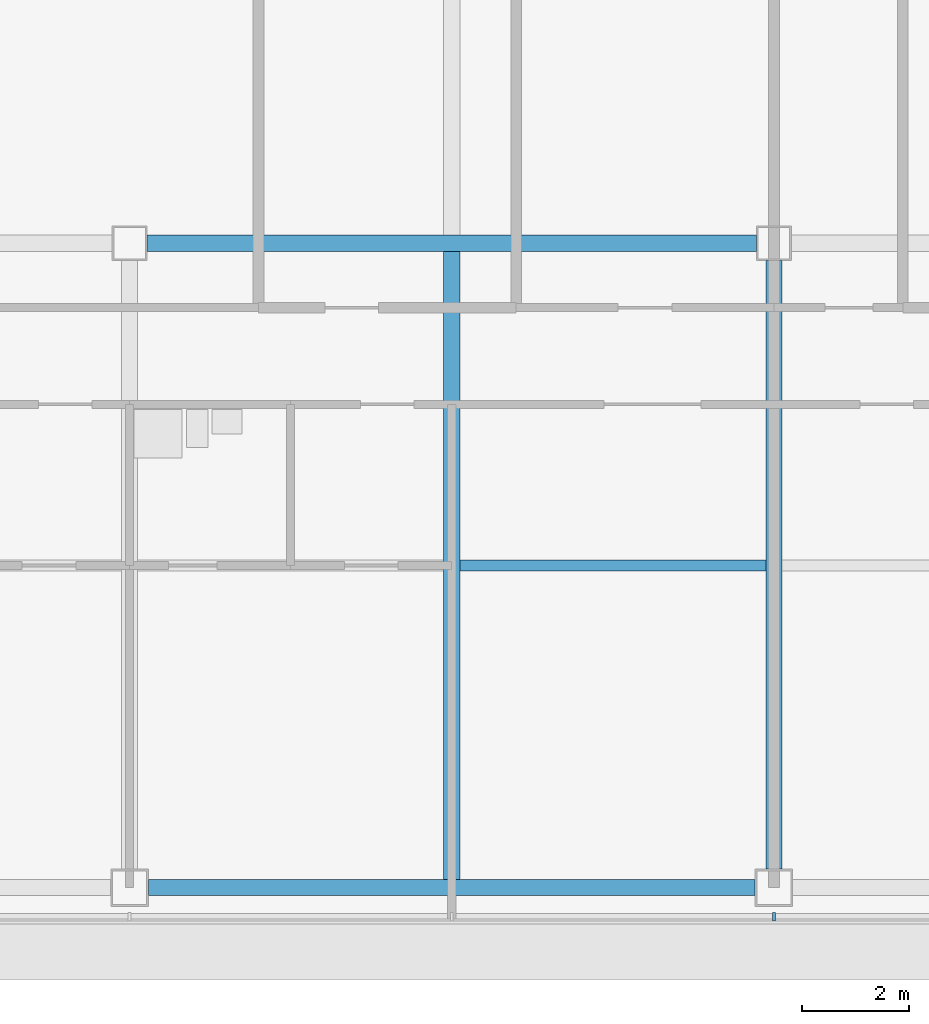
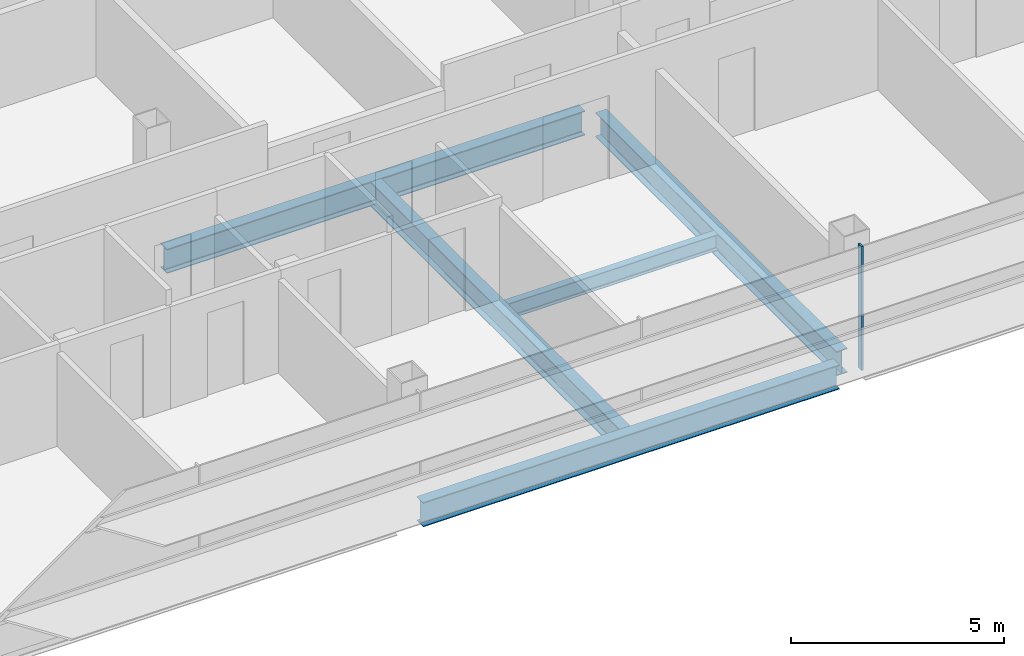
# One storey, part 3 of 26: 5 beams, 1 member, 1 element without a shape of its own.
"""IFC4 building model written with IfcOpenShell, lengths in metres."""

from ifc_helpers import new_model, si_unit, direction, frame, origin, origin_2d, place, context, subcontext, project, spatial, rectangle, i_section, extrude, material, material_profile, profile_set, type_object, element, aggregate, save


model = new_model("IFC4")

# Units and contexts
model_context = context("Model", 3, precision=1e-05, world=origin(), true_north=direction((0.0, 1.0)))
body_context = subcontext(model_context, "Body", "Model", "MODEL_VIEW")
ifc_project = project(units=[si_unit("LENGTHUNIT", "METRE"), si_unit("AREAUNIT", "SQUARE_METRE"), si_unit("VOLUMEUNIT", "CUBIC_METRE"), si_unit("PLANEANGLEUNIT", "RADIAN"), si_unit("MASSUNIT", "GRAM", prefix="KILO")], contexts=[model_context])

# Site, building, storey
site_placement = place(None, origin())
site = spatial("IfcSite", under=ifc_project, at=site_placement, CompositionType="ELEMENT")
building_placement = place(site_placement, origin())
building = spatial("IfcBuilding", under=site, at=building_placement, Name="Sorahane Residences", CompositionType="ELEMENT")
storey_placement = place(building_placement, frame((0.0, 0.0, 158.199951171875)))
storey = spatial("IfcBuildingStorey", under=building, at=storey_placement, Name="L36", CompositionType="ELEMENT", Elevation=158.199951171875)

# Curtain wall, member
ifc_material_1 = material(Name="Dark low-e glass and black anodised aluminium", Category="aluminium")
curtain_wall_type = type_object("IfcCurtainWallType", Name="Curtain wall CW-1 Typical unitised wall", PredefinedType="NOTDEFINED", material=ifc_material_1)
curtain_wall_placement = place(storey_placement, origin())
curtain_wall = element("IfcCurtainWall", 1, at=curtain_wall_placement, inside=storey, type_object=curtain_wall_type, Name="CW-1 curtain wall L36 S1", PredefinedType="NOTDEFINED")
ifc_material_2 = material(Name="Black anodised aluminium", Category="aluminium")
ifc_material_profile_1 = material_profile(ifc_material_2, rectangle(XDim=0.159912109375, YDim=0.050048828125, at=origin_2d()), Name="Curtain wall mullion CW-1 black anodised aluminium 50x160")
ifc_profile_set_1 = profile_set([ifc_material_profile_1], Name="Black anodised aluminium")
member_type = type_object("IfcMemberType", Name="Curtain wall mullion CW-1 black anodised aluminium 50x160", PredefinedType="MULLION", material=ifc_profile_set_1)
member_placement = place(storey_placement, frame((24.0, -0.5400390625, -0.179931640625), z_axis=(0.0, 0.0, 1.0), x_axis=(0.0, -1.0, 0.0)))
member = element("IfcMember", 2, at=member_placement, type_object=member_type, Name="CW-1 mullion L36 S1.5", PredefinedType="MULLION", context=body_context, shape_type="SweptSolid", body=[
    extrude(rectangle(XDim=0.159912109375, YDim=0.050048828125, at=origin_2d()), origin(), (0.0, 0.0, 1.0), 3.56005859375),
])
aggregate(curtain_wall, [member])

# Beams
ifc_material_3 = material(Name="Steel Q355B", Category="steel")
ifc_material_profile_2 = material_profile(ifc_material_3, i_section(OverallWidth=0.199951171875, OverallDepth=0.449951171875, WebThickness=0.009033203125, FlangeThickness=0.013916015625, FilletRadius=0.02001953125, at=origin_2d()), Name="HN 450x200x9x14")
ifc_profile_set_2 = profile_set([ifc_material_profile_2], Name="Steel Q355B")
beam_type_1 = type_object("IfcBeamType", Name="Steel floor beam HN 450x200x9x14 Q355B", PredefinedType="BEAM", material=ifc_profile_set_2)
beam_1_placement = place(storey_placement, frame((18.14990234375, 6.0, -0.405029296875), z_axis=(1.0, 0.0, 0.0), x_axis=(0.0, 1.0, 0.0)))
element("IfcBeam", 3, at=beam_1_placement, inside=storey, type_object=beam_type_1, Name="Beam L36 072", PredefinedType="BEAM", context=body_context, shape_type="SweptSolid", body=[
    extrude(i_section(OverallWidth=0.199951171875, OverallDepth=0.449951171875, WebThickness=0.009033203125, FlangeThickness=0.013916015625, FilletRadius=0.02001953125, at=origin_2d()), origin(), (0.0, 0.0, 1.0), 5.7001953125),
])
ifc_material_4 = material(Name="Steel Q355B", Category="steel")
ifc_material_profile_3 = material_profile(ifc_material_4, i_section(OverallWidth=0.300048828125, OverallDepth=0.699951171875, WebThickness=0.012939453125, FlangeThickness=0.02392578125, FilletRadius=0.028076171875, at=origin_2d()), Name="HN 700x300x13x24")
ifc_profile_set_3 = profile_set([ifc_material_profile_3], Name="Steel Q355B")
beam_type_2 = type_object("IfcBeamType", Name="Steel floor beam HN 700x300x13x24 Q355B", PredefinedType="BEAM", material=ifc_profile_set_3)
beam_2_placement = place(storey_placement, frame((12.35009765625, 0.0, -0.530029296875), z_axis=(1.0, 0.0, 0.0), x_axis=(0.0, 1.0, 0.0)))
element("IfcBeam", 4, at=beam_2_placement, inside=storey, type_object=beam_type_2, Name="Beam L36 001", PredefinedType="BEAM", context=body_context, shape_type="SweptSolid", body=[
    extrude(i_section(OverallWidth=0.300048828125, OverallDepth=0.699951171875, WebThickness=0.012939453125, FlangeThickness=0.02392578125, FilletRadius=0.028076171875, at=origin_2d()), origin(), (0.0, 0.0, 1.0), 11.2998046875),
])
beam_3_placement = place(storey_placement, frame((12.324951171875, 12.0, -0.530029296875), z_axis=(1.0, 0.0, 0.0), x_axis=(0.0, 1.0, 0.0)))
element("IfcBeam", 5, at=beam_3_placement, inside=storey, type_object=beam_type_2, Name="Beam L36 007", PredefinedType="BEAM", context=body_context, shape_type="SweptSolid", body=[
    extrude(i_section(OverallWidth=0.300048828125, OverallDepth=0.699951171875, WebThickness=0.012939453125, FlangeThickness=0.02392578125, FilletRadius=0.028076171875, at=origin_2d()), origin(), (0.0, 0.0, 1.0), 11.35009765625),
])
beam_4_placement = place(storey_placement, frame((18.0, 0.14990234375, -0.530029296875), z_axis=(0.0, 1.0, 0.0), x_axis=(-1.0, 0.0, 0.0)))
element("IfcBeam", 6, at=beam_4_placement, inside=storey, type_object=beam_type_2, Name="Beam L36 036", PredefinedType="BEAM", context=body_context, shape_type="SweptSolid", body=[
    extrude(i_section(OverallWidth=0.300048828125, OverallDepth=0.699951171875, WebThickness=0.012939453125, FlangeThickness=0.02392578125, FilletRadius=0.028076171875, at=origin_2d()), origin(), (0.0, 0.0, 1.0), 11.7001953125),
])
beam_5_placement = place(storey_placement, frame((24.0, 0.35009765625, -0.530029296875), z_axis=(0.0, 1.0, 0.0), x_axis=(-1.0, 0.0, 0.0)))
element("IfcBeam", 7, at=beam_5_placement, inside=storey, type_object=beam_type_2, Name="Beam L36 042", PredefinedType="BEAM", context=body_context, shape_type="SweptSolid", body=[
    extrude(i_section(OverallWidth=0.300048828125, OverallDepth=0.699951171875, WebThickness=0.012939453125, FlangeThickness=0.02392578125, FilletRadius=0.028076171875, at=origin_2d()), origin(), (0.0, 0.0, 1.0), 11.324951171875),
])

save(model, "model.ifc")
